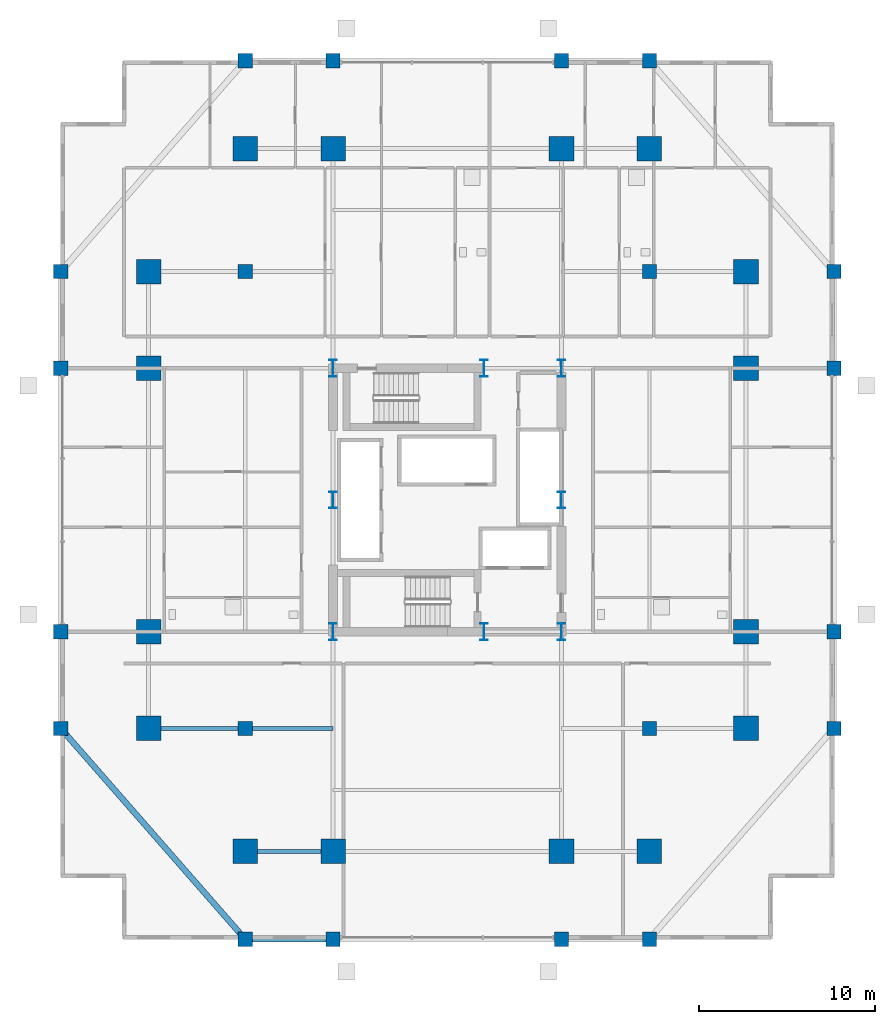
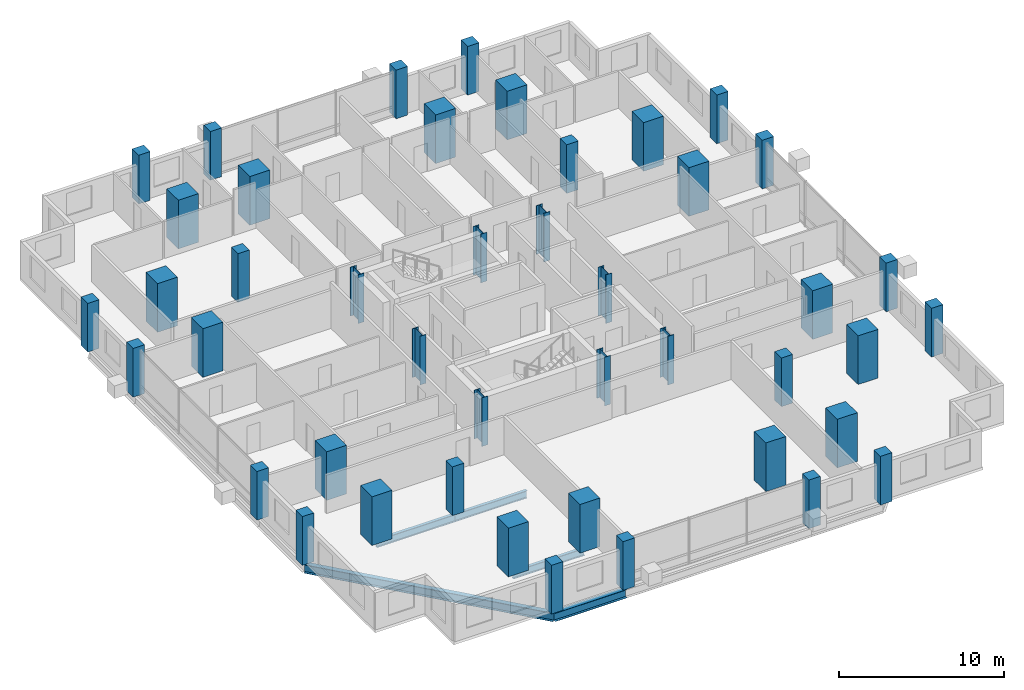
# One storey, part 1 of 23: 44 columns, 5 beams.
"""IFC4 building model written with IfcOpenShell, lengths in metres."""

from ifc_helpers import new_model, si_unit, direction, frame, origin, origin_2d, place, context, subcontext, project, spatial, rectangle, i_section, extrude, material, material_profile, profile_set, type_object, element, save


model = new_model("IFC4")

# Units and contexts
model_context = context("Model", 3, precision=1e-05, world=origin(), true_north=direction((0.0, 1.0)))
body_context = subcontext(model_context, "Body", "Model", "MODEL_VIEW")
ifc_project = project(units=[si_unit("LENGTHUNIT", "METRE"), si_unit("AREAUNIT", "SQUARE_METRE"), si_unit("VOLUMEUNIT", "CUBIC_METRE"), si_unit("PLANEANGLEUNIT", "RADIAN"), si_unit("MASSUNIT", "GRAM", prefix="KILO")], contexts=[model_context])

# Site, building, storey
site_placement = place(None, origin())
site = spatial("IfcSite", under=ifc_project, at=site_placement, CompositionType="ELEMENT")
building_placement = place(site_placement, origin())
building = spatial("IfcBuilding", under=site, at=building_placement, Name="Barlavira Tower and Art Museum", CompositionType="ELEMENT")
storey_placement = place(building_placement, frame((0.0, 0.0, 64.800048828125)))
storey = spatial("IfcBuildingStorey", under=building, at=storey_placement, Name="L15", CompositionType="ELEMENT", Elevation=64.800048828125)

# Columns
ifc_material_1 = material(Name="Steel S355", Category="steel")
ifc_material_profile_1 = material_profile(ifc_material_1, i_section(OverallWidth=0.419921875, OverallDepth=0.9599609375, WebThickness=0.02197265625, FlangeThickness=0.033935546875, at=origin_2d()), Name="W920x387.0")
ifc_profile_set_1 = profile_set([ifc_material_profile_1], Name="Steel S355")
column_type_1 = type_object("IfcColumnType", Name="Core Composite Column W920x387 Steel S355", PredefinedType="COLUMN", material=ifc_profile_set_1)
for number, where, z_axis, x_axis, name in (
    (1, (-6.5, -7.5, 0.0), (0.0, 0.0, 1.0), (1.0, 0.0, 0.0), "L15 Column CC-L15-C1"),
    (2, (2.080078125, -7.5, 0.0), (0.0, 0.0, 1.0), (1.0, 0.0, 0.0), "L15 Column CC-L15-C2"),
    (3, (6.5, -7.5, 0.0), (0.0, 0.0, 1.0), (1.0, 0.0, 0.0), "L15 Column CC-L15-C3"),
    (4, (-6.5, 0.0, 0.0), (0.0, 0.0, 1.0), (1.0, 0.0, 0.0), "L15 Column CC-L15-C4"),
    (5, (6.5, 0.0, 0.0), (0.0, 0.0, 1.0), (1.0, 0.0, 0.0), "L15 Column CC-L15-C5"),
    (6, (-6.5, 7.5, 0.0), (0.0, 0.0, 1.0), (1.0, 0.0, 0.0), "L15 Column CC-L15-C6"),
    (7, (2.080078125, 7.5, 0.0), (0.0, 0.0, 1.0), (1.0, 0.0, 0.0), "L15 Column CC-L15-C7"),
    (8, (6.5, 7.5, 0.0), (0.0, 0.0, 1.0), (1.0, 0.0, 0.0), "L15 Column CC-L15-C8"),
):
    element("IfcColumn", number, at=place(storey_placement, frame(where, z_axis=z_axis, x_axis=x_axis)), inside=storey, type_object=column_type_1, Name=name, PredefinedType="COLUMN", context=body_context, shape_type="SweptSolid", body=[
        extrude(i_section(OverallWidth=0.419921875, OverallDepth=0.9599609375, WebThickness=0.02197265625, FlangeThickness=0.033935546875, at=origin_2d()), origin(), (0.0, 0.0, 1.0), 3.599853515625),
    ])
ifc_material_2 = material(Name="Concrete C60", Category="concrete")
ifc_material_profile_2 = material_profile(ifc_material_2, rectangle(XDim=1.39990234375, YDim=1.39990234375, at=origin_2d()), Name="RC-MCOL 1400x1400")
ifc_profile_set_2 = profile_set([ifc_material_profile_2], Name="Concrete C60")
column_type_2 = type_object("IfcColumnType", Name="Perimeter Mega Column 1400x1400 Concrete C60", PredefinedType="USERDEFINED", material=ifc_profile_set_2)
for number, where, z_axis, x_axis, name in (
    (9, (-11.5, -20.0, 0.0), (0.0, 0.0, 1.0), (1.0, 0.0, 0.0), "L15 Column MC-L15-M01"),
    (10, (-6.5, -20.0, 0.0), (0.0, 0.0, 1.0), (1.0, 0.0, 0.0), "L15 Column MC-L15-M02"),
    (11, (6.5, -20.0, 0.0), (0.0, 0.0, 1.0), (1.0, 0.0, 0.0), "L15 Column MC-L15-M03"),
    (12, (11.5, -20.0, 0.0), (0.0, 0.0, 1.0), (1.0, 0.0, 0.0), "L15 Column MC-L15-M04"),
    (13, (17.0, -13.0, 0.0), (0.0, 0.0, 1.0), (1.0, 0.0, 0.0), "L15 Column MC-L15-M05"),
    (14, (17.0, -7.5, 0.0), (0.0, 0.0, 1.0), (1.0, 0.0, 0.0), "L15 Column MC-L15-M06"),
    (15, (17.0, 7.5, 0.0), (0.0, 0.0, 1.0), (1.0, 0.0, 0.0), "L15 Column MC-L15-M07"),
    (16, (17.0, 13.0, 0.0), (0.0, 0.0, 1.0), (1.0, 0.0, 0.0), "L15 Column MC-L15-M08"),
    (17, (11.5, 20.0, 0.0), (0.0, 0.0, 1.0), (1.0, 0.0, 0.0), "L15 Column MC-L15-M09"),
    (18, (6.5, 20.0, 0.0), (0.0, 0.0, 1.0), (1.0, 0.0, 0.0), "L15 Column MC-L15-M10"),
    (19, (-6.5, 20.0, 0.0), (0.0, 0.0, 1.0), (1.0, 0.0, 0.0), "L15 Column MC-L15-M11"),
    (20, (-11.5, 20.0, 0.0), (0.0, 0.0, 1.0), (1.0, 0.0, 0.0), "L15 Column MC-L15-M12"),
    (21, (-17.0, 13.0, 0.0), (0.0, 0.0, 1.0), (1.0, 0.0, 0.0), "L15 Column MC-L15-M13"),
    (22, (-17.0, 7.5, 0.0), (0.0, 0.0, 1.0), (1.0, 0.0, 0.0), "L15 Column MC-L15-M14"),
    (23, (-17.0, -7.5, 0.0), (0.0, 0.0, 1.0), (1.0, 0.0, 0.0), "L15 Column MC-L15-M15"),
    (24, (-17.0, -13.0, 0.0), (0.0, 0.0, 1.0), (1.0, 0.0, 0.0), "L15 Column MC-L15-M16"),
):
    element("IfcColumn", number, at=place(storey_placement, frame(where, z_axis=z_axis, x_axis=x_axis)), inside=storey, type_object=column_type_2, Name=name, ObjectType="MEGA COLUMN", PredefinedType="USERDEFINED", context=body_context, shape_type="SweptSolid", body=[
        extrude(rectangle(XDim=1.39990234375, YDim=1.39990234375, at=origin_2d()), origin(), (0.0, 0.0, 1.0), 3.599853515625),
    ])
ifc_material_3 = material(Name="Concrete C50", Category="concrete")
ifc_material_profile_3 = material_profile(ifc_material_3, rectangle(XDim=0.800048828125, YDim=0.800048828125, at=origin_2d()), Name="RC-COL 800x800")
ifc_profile_set_3 = profile_set([ifc_material_profile_3], Name="Concrete C50")
column_type_3 = type_object("IfcColumnType", Name="Podium Frame Column 800x800 Concrete C50", PredefinedType="COLUMN", material=ifc_profile_set_3)
for number, where, z_axis, x_axis, name in (
    (25, (-11.5, -13.0, 0.0), (0.0, 0.0, 1.0), (1.0, 0.0, 0.0), "L15 Column CI-L15-I1"),
    (26, (11.5, -13.0, 0.0), (0.0, 0.0, 1.0), (1.0, 0.0, 0.0), "L15 Column CI-L15-I2"),
    (27, (-11.5, 13.0, 0.0), (0.0, 0.0, 1.0), (1.0, 0.0, 0.0), "L15 Column CI-L15-I3"),
    (28, (11.5, 13.0, 0.0), (0.0, 0.0, 1.0), (1.0, 0.0, 0.0), "L15 Column CI-L15-I4"),
    (29, (-11.5, -25.0, 0.0), (0.0, 0.0, 1.0), (1.0, 0.0, 0.0), "L15 Column CZ1-L15-N01"),
    (30, (-6.5, -25.0, 0.0), (0.0, 0.0, 1.0), (1.0, 0.0, 0.0), "L15 Column CZ1-L15-N02"),
    (31, (6.5, -25.0, 0.0), (0.0, 0.0, 1.0), (1.0, 0.0, 0.0), "L15 Column CZ1-L15-N02B"),
    (32, (11.5, -25.0, 0.0), (0.0, 0.0, 1.0), (1.0, 0.0, 0.0), "L15 Column CZ1-L15-N03"),
    (33, (-22.0, -13.0, 0.0), (0.0, 0.0, 1.0), (1.0, 0.0, 0.0), "L15 Column CZ1-L15-N04"),
    (34, (-22.0, -7.5, 0.0), (0.0, 0.0, 1.0), (1.0, 0.0, 0.0), "L15 Column CZ1-L15-N05"),
    (35, (-22.0, 7.5, 0.0), (0.0, 0.0, 1.0), (1.0, 0.0, 0.0), "L15 Column CZ1-L15-N05B"),
    (36, (-22.0, 13.0, 0.0), (0.0, 0.0, 1.0), (1.0, 0.0, 0.0), "L15 Column CZ1-L15-N06"),
    (37, (-11.5, 25.0, 0.0), (0.0, 0.0, 1.0), (1.0, 0.0, 0.0), "L15 Column CZ1-L15-N07"),
    (38, (-6.5, 25.0, 0.0), (0.0, 0.0, 1.0), (1.0, 0.0, 0.0), "L15 Column CZ1-L15-N08"),
    (39, (6.5, 25.0, 0.0), (0.0, 0.0, 1.0), (1.0, 0.0, 0.0), "L15 Column CZ1-L15-N08B"),
    (40, (11.5, 25.0, 0.0), (0.0, 0.0, 1.0), (1.0, 0.0, 0.0), "L15 Column CZ1-L15-N09"),
    (41, (22.0, -13.0, 0.0), (0.0, 0.0, 1.0), (1.0, 0.0, 0.0), "L15 Column CZ1-L15-N10"),
    (42, (22.0, -7.5, 0.0), (0.0, 0.0, 1.0), (1.0, 0.0, 0.0), "L15 Column CZ1-L15-N11"),
    (43, (22.0, 7.5, 0.0), (0.0, 0.0, 1.0), (1.0, 0.0, 0.0), "L15 Column CZ1-L15-N11B"),
    (44, (22.0, 13.0, 0.0), (0.0, 0.0, 1.0), (1.0, 0.0, 0.0), "L15 Column CZ1-L15-N12"),
):
    element("IfcColumn", number, at=place(storey_placement, frame(where, z_axis=z_axis, x_axis=x_axis)), inside=storey, type_object=column_type_3, Name=name, PredefinedType="COLUMN", context=body_context, shape_type="SweptSolid", body=[
        extrude(rectangle(XDim=0.800048828125, YDim=0.800048828125, at=origin_2d()), origin(), (0.0, 0.0, 1.0), 3.599853515625),
    ])

# Beams
ifc_material_profile_4 = material_profile(ifc_material_1, i_section(OverallWidth=0.327880859375, OverallDepth=0.62890625, WebThickness=0.013916015625, FlangeThickness=0.021484375, at=origin_2d()), Name="W610x174.0")
ifc_profile_set_4 = profile_set([ifc_material_profile_4], Name="Steel S355")
beam_type_1 = type_object("IfcBeamType", Name="Perimeter Spandrel Edge Beam W610x174 Steel S355", PredefinedType="SPANDREL", material=ifc_profile_set_4)
beam_1_placement = place(storey_placement, frame((-11.5, -25.0, -0.53466796875), z_axis=(1.0, 0.0, 0.0), x_axis=(0.0, 1.0, 0.0)))
element("IfcBeam", 45, at=beam_1_placement, inside=storey, type_object=beam_type_1, Name="L15 Spandrel 1", PredefinedType="SPANDREL", context=body_context, shape_type="SweptSolid", body=[
    extrude(i_section(OverallWidth=0.327880859375, OverallDepth=0.62890625, WebThickness=0.013916015625, FlangeThickness=0.021484375, at=origin_2d()), origin(), (0.0, 0.0, 1.0), 5.0),
])
beam_2_placement = place(storey_placement, frame((-22.0, -13.0, -0.53466796875), z_axis=(0.658504607869, -0.752576694707, 0.0), x_axis=(0.752576694707, 0.658504607869, 0.0)))
element("IfcBeam", 46, at=beam_2_placement, inside=storey, type_object=beam_type_1, Name="L15 Spandrel 16", PredefinedType="SPANDREL", context=body_context, shape_type="SweptSolid", body=[
    extrude(i_section(OverallWidth=0.327880859375, OverallDepth=0.62890625, WebThickness=0.013916015625, FlangeThickness=0.021484375, at=origin_2d()), origin(), (0.0, 0.0, 1.0), 15.9453125),
])
ifc_material_profile_5 = material_profile(ifc_material_1, i_section(OverallWidth=0.214111328125, OverallDepth=0.549072265625, WebThickness=0.0146484375, FlangeThickness=0.023681640625, at=origin_2d()), Name="W530x138.0")
ifc_profile_set_5 = profile_set([ifc_material_profile_5], Name="Steel S355")
beam_type_2 = type_object("IfcBeamType", Name="Zone 1 Primary Floor Girder W530x138 Steel S355", PredefinedType="BEAM", material=ifc_profile_set_5)
beam_3_placement = place(storey_placement, frame((-11.5, -20.0, -0.49462890625), z_axis=(1.0, 0.0, 0.0), x_axis=(0.0, 1.0, 0.0)))
element("IfcBeam", 47, at=beam_3_placement, inside=storey, type_object=beam_type_2, Name="L15 Girder M-S1", PredefinedType="BEAM", context=body_context, shape_type="SweptSolid", body=[
    extrude(i_section(OverallWidth=0.214111328125, OverallDepth=0.549072265625, WebThickness=0.0146484375, FlangeThickness=0.023681640625, at=origin_2d()), origin(), (0.0, 0.0, 1.0), 5.0),
])
beam_4_placement = place(storey_placement, frame((-17.0, -13.0, -0.49462890625), z_axis=(1.0, 0.0, 0.0), x_axis=(0.0, 1.0, 0.0)))
element("IfcBeam", 48, at=beam_4_placement, inside=storey, type_object=beam_type_2, Name="L15 Girder I-S1", PredefinedType="BEAM", context=body_context, shape_type="SweptSolid", body=[
    extrude(i_section(OverallWidth=0.214111328125, OverallDepth=0.549072265625, WebThickness=0.0146484375, FlangeThickness=0.023681640625, at=origin_2d()), origin(), (0.0, 0.0, 1.0), 5.5),
])
beam_5_placement = place(storey_placement, frame((-11.5, -13.0, -0.49462890625), z_axis=(1.0, 0.0, 0.0), x_axis=(0.0, 1.0, 0.0)))
element("IfcBeam", 49, at=beam_5_placement, inside=storey, type_object=beam_type_2, Name="L15 Girder I-S2", PredefinedType="BEAM", context=body_context, shape_type="SweptSolid", body=[
    extrude(i_section(OverallWidth=0.214111328125, OverallDepth=0.549072265625, WebThickness=0.0146484375, FlangeThickness=0.023681640625, at=origin_2d()), origin(), (0.0, 0.0, 1.0), 5.0),
])

save(model, "model.ifc")
